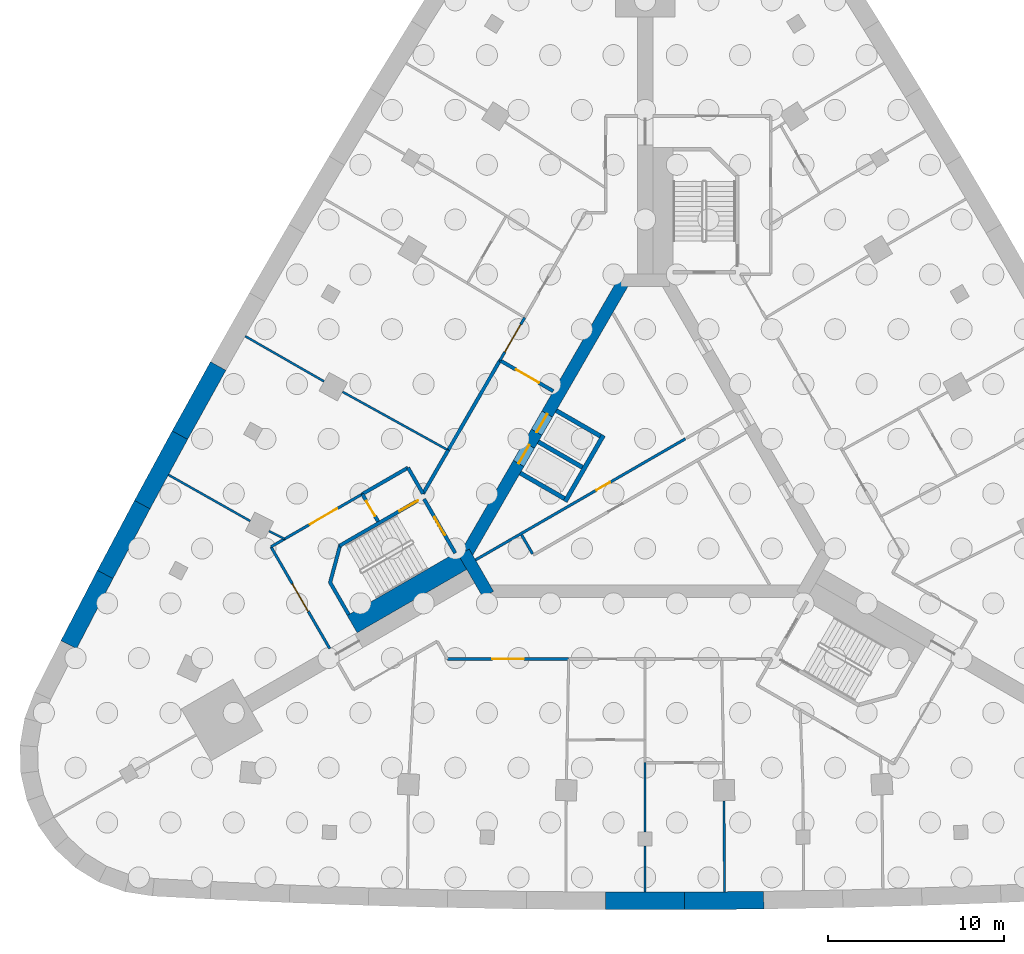
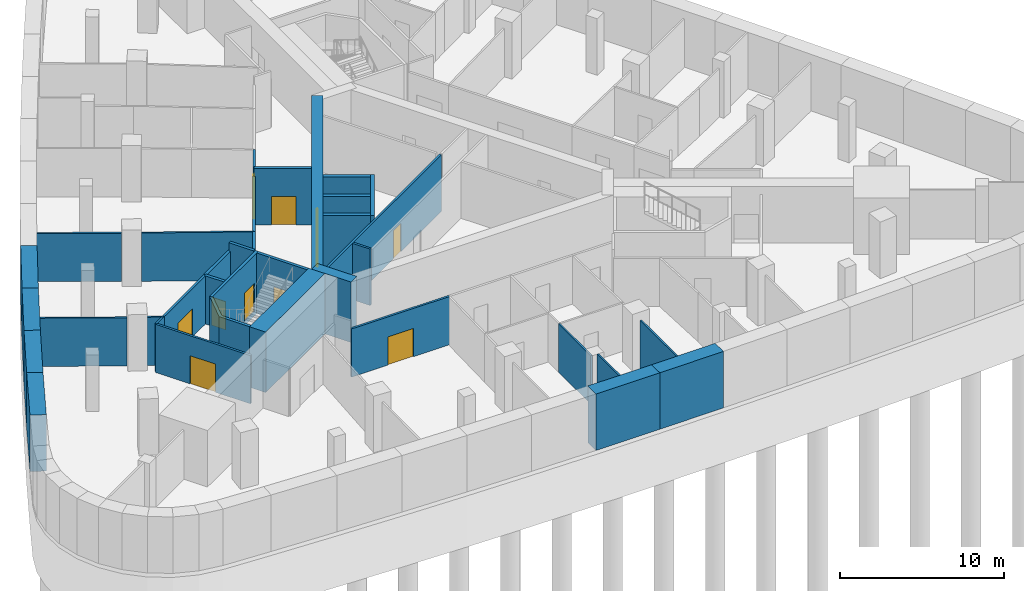
# One storey, part 3 of 9: 36 walls, 11 doors, 11 openings.
"""IFC4 building model written with IfcOpenShell, lengths in metres."""

from ifc_helpers import new_model, si_unit, direction, frame, frame_2d, origin, place, context, subcontext, project, spatial, polyline, rectangle, outline, extrude, material, layer, layer_set, type_object, element, fill, save


model = new_model("IFC4")

# Units and contexts
model_context = context("Model", 3, precision=1e-05, world=origin(), true_north=direction((0.0, 1.0)))
body_context = subcontext(model_context, "Body", "Model", "MODEL_VIEW")
ifc_project = project(units=[si_unit("LENGTHUNIT", "METRE"), si_unit("AREAUNIT", "SQUARE_METRE"), si_unit("VOLUMEUNIT", "CUBIC_METRE"), si_unit("PLANEANGLEUNIT", "RADIAN"), si_unit("MASSUNIT", "GRAM", prefix="KILO")], contexts=[model_context])

# Site, building, storey
site_placement = place(None, origin())
site = spatial("IfcSite", under=ifc_project, at=site_placement, CompositionType="ELEMENT")
building_placement = place(site_placement, origin())
building = spatial("IfcBuilding", under=site, at=building_placement, Name="Noor Cloister Tower", CompositionType="ELEMENT")
storey_placement = place(building_placement, frame((0.0, 0.0, -9.0)))
storey = spatial("IfcBuildingStorey", under=building, at=storey_placement, Name="B2", CompositionType="ELEMENT", Elevation=-9.0)

# Wall, opening, door
ifc_material_1 = material(Name="Concrete C30/37", Category="concrete")
ifc_layer_1 = layer(ifc_material_1, 0.14990234375)
ifc_layer_set_1 = layer_set([ifc_layer_1], Name="Core partition 150 C30/37")
wall_type_1 = type_object("IfcWallType", Name="Core partition 150 C30/37", PredefinedType="PARTITIONING", material=ifc_layer_set_1)
wall_1_placement = place(storey_placement, frame((-9.65087890625, -4.796875, 0.0), z_axis=(0.0, 0.0, 1.0), x_axis=(0.866023073213, 0.500004036646, 0.0)))
wall_1 = element("IfcWall", 1, at=wall_1_placement, inside=storey, type_object=wall_type_1, Name="Core room partition B2 1", PredefinedType="PARTITIONING", context=body_context, shape_type="SweptSolid", body=[
    extrude(rectangle(XDim=13.78466796875, YDim=0.14990234375, at=frame_2d((6.892333984375, 0.0))), origin(), (0.0, 0.0, 1.0), 4.199951171875),
])
opening_1_placement = place(wall_1_placement, frame((7.93359375, 0.0, 0.0)))
opening_1 = element("IfcOpeningElement", 2, at=opening_1_placement, cuts=wall_1, Name="Opening B2-905", PredefinedType="OPENING", context=body_context, shape_type="SweptSolid", body=[
    extrude(rectangle(XDim=0.89990234375, YDim=2.10009765625, at=frame_2d((0.449951171875, 1.050048828125))), frame((0.0, 0.0849609375, 0.0), z_axis=(0.0, -1.0, 0.0), x_axis=(1.0, 0.0, 0.0)), (0.0, 0.0, 1.0), 0.169921875),
])
ifc_material_2 = material(Name="Steel", Category="steel")
door_type_1 = type_object("IfcDoorType", Name="Core door 900 x 2100 FD120", OperationType="SINGLE_SWING_LEFT", PredefinedType="DOOR", material=ifc_material_2)
door_1_placement = place(opening_1_placement, origin())
door_1 = element("IfcDoor", 3, at=door_1_placement, inside=storey, type_object=door_type_1, Name="Core door 5 B2", OperationType="SINGLE_SWING_LEFT", OverallHeight=2.10009765625, OverallWidth=0.89990234375, PredefinedType="DOOR", context=body_context, shape_type="SweptSolid", body=[
    extrude(rectangle(XDim=0.89990234375, YDim=2.10009765625, at=frame_2d((0.449951171875, 1.050048828125))), frame((0.0, 0.02490234375, 0.0), z_axis=(0.0, -1.0, 0.0), x_axis=(1.0, 0.0, 0.0)), (0.0, 0.0, 1.0), 0.050048828125),
])
fill(opening_1, door_1)

# Wall
wall_2_placement = place(storey_placement, frame((-6.40380859375, -4.451904296875, 0.0), z_axis=(0.0, 0.0, 1.0), x_axis=(-0.500004234368, 0.866022959057, 0.0)))
element("IfcWall", 4, at=wall_2_placement, inside=storey, type_object=wall_type_1, Name="Core room partition B2 3", PredefinedType="PARTITIONING", context=body_context, shape_type="SweptSolid", body=[
    extrude(rectangle(XDim=1.25, YDim=0.14990234375, at=frame_2d((0.625, 0.0))), origin(), (0.0, 0.0, 1.0), 4.199951171875),
])

# Wall, openings, doors
ifc_material_3 = material(Name="Concrete C80/95", Category="concrete")
ifc_layer_2 = layer(ifc_material_3, 0.699951171875)
ifc_layer_set_2 = layer_set([ifc_layer_2], Name="Core wall 700 C80/95")
wall_type_2 = type_object("IfcWallType", Name="Core wall 700 C80/95", PredefinedType="SHEAR", material=ifc_layer_set_2)
wall_3_placement = place(storey_placement, frame((-1.08251953125, 11.281494140625, -0.300048828125), z_axis=(0.0, 0.0, 1.0), x_axis=(-0.500001446645, -0.866024568562, 0.0)))
wall_3 = element("IfcWall", 5, at=wall_3_placement, inside=storey, type_object=wall_type_2, Name="Core wall B2 5", PredefinedType="SHEAR", context=body_context, shape_type="SweptSolid", body=[
    extrude(rectangle(XDim=18.45751953125, YDim=0.699951171875, at=frame_2d((9.228759765625, 0.0))), origin(), (0.0, 0.0, 1.0), 4.5),
])
opening_2_placement = place(wall_3_placement, frame((8.978759765625, 0.0, 0.300048828125)))
opening_2 = element("IfcOpeningElement", 6, at=opening_2_placement, cuts=wall_3, Name="Opening B2-FF1", PredefinedType="OPENING", context=body_context, shape_type="SweptSolid", body=[
    extrude(rectangle(XDim=1.199951171875, YDim=2.10009765625, at=frame_2d((0.60009765625, 1.050048828125))), frame((0.0, 0.35986328125, 0.0), z_axis=(0.0, -1.0, 0.0), x_axis=(1.0, 0.0, 0.0)), (0.0, 0.0, 1.0), 0.719970703125),
])
opening_3_placement = place(wall_3_placement, frame((11.02880859375, 0.0, 0.300048828125)))
opening_3 = element("IfcOpeningElement", 7, at=opening_3_placement, cuts=wall_3, Name="Opening B2-FF2", PredefinedType="OPENING", context=body_context, shape_type="SweptSolid", body=[
    extrude(rectangle(XDim=1.199951171875, YDim=2.10009765625, at=frame_2d((0.60009765625, 1.050048828125))), frame((0.0, 0.35986328125, 0.0), z_axis=(0.0, -1.0, 0.0), x_axis=(1.0, 0.0, 0.0)), (0.0, 0.0, 1.0), 0.719970703125),
])
ifc_material_4 = material(Name="Stainless steel", Category="steel")
door_type_2 = type_object("IfcDoorType", Name="Lift landing door 1200 x 2100", OperationType="DOUBLE_DOOR_SLIDING", PredefinedType="DOOR", material=ifc_material_4)
door_2_placement = place(opening_2_placement, origin())
door_2 = element("IfcDoor", 8, at=door_2_placement, inside=storey, type_object=door_type_2, Name="Landing door FF1 B2", OperationType="DOUBLE_DOOR_SLIDING", OverallHeight=2.10009765625, OverallWidth=1.199951171875, PredefinedType="DOOR", context=body_context, shape_type="SweptSolid", body=[
    extrude(rectangle(XDim=1.199951171875, YDim=2.10009765625, at=frame_2d((0.60009765625, 1.050048828125))), frame((0.0, 0.02490234375, 0.0), z_axis=(0.0, -1.0, 0.0), x_axis=(1.0, 0.0, 0.0)), (0.0, 0.0, 1.0), 0.050048828125),
])
fill(opening_2, door_2)
door_3_placement = place(opening_3_placement, origin())
door_3 = element("IfcDoor", 9, at=door_3_placement, inside=storey, type_object=door_type_2, Name="Landing door FF2 B2", OperationType="DOUBLE_DOOR_SLIDING", OverallHeight=2.10009765625, OverallWidth=1.199951171875, PredefinedType="DOOR", context=body_context, shape_type="SweptSolid", body=[
    extrude(rectangle(XDim=1.199951171875, YDim=2.10009765625, at=frame_2d((0.60009765625, 1.050048828125))), frame((0.0, 0.02490234375, 0.0), z_axis=(0.0, -1.0, 0.0), x_axis=(1.0, 0.0, 0.0)), (0.0, 0.0, 1.0), 0.050048828125),
])
fill(opening_3, door_3)

# Wall
wall_4_placement = place(storey_placement, frame((-10.311279296875, -4.353271484375, -0.300048828125), z_axis=(0.0, 0.0, 1.0), x_axis=(0.500042739161, -0.866000726912, 0.0)))
element("IfcWall", 10, at=wall_4_placement, inside=storey, type_object=wall_type_2, Name="Core wall B2 6", PredefinedType="SHEAR", context=body_context, shape_type="SweptSolid", body=[
    extrude(rectangle(XDim=2.771240234375, YDim=0.699951171875, at=frame_2d((1.3857421875, 0.0))), origin(), (0.0, 0.0, 1.0), 4.5),
])

# Wall, opening, door
ifc_material_5 = material(Name="Plasterboard on steel studs", Category="steel")
ifc_layer_3 = layer(ifc_material_5, 0.14990234375)
ifc_layer_set_3 = layer_set([ifc_layer_3], Name="Corridor wall 150")
wall_type_3 = type_object("IfcWallType", Name="Corridor wall 150", PredefinedType="PARTITIONING", material=ifc_layer_set_3)
wall_5_placement = place(storey_placement, frame((-4.346923828125, -10.427978515625, 0.0), z_axis=(0.0, 0.0, 1.0), x_axis=(-1.0, 0.0, 0.0)))
wall_5 = element("IfcWall", 11, at=wall_5_placement, inside=storey, type_object=wall_type_3, Name="Partition", PredefinedType="PARTITIONING", context=body_context, shape_type="SweptSolid", body=[
    extrude(rectangle(XDim=6.902099609375, YDim=0.14990234375, at=frame_2d((3.451171875, 0.0))), origin(), (0.0, 0.0, 1.0), 3.587890625),
])
opening_4_placement = place(wall_5_placement, frame((2.550048828125, 0.0, 0.0)))
opening_4 = element("IfcOpeningElement", 12, at=opening_4_placement, cuts=wall_5, Name="Opening B2-007", PredefinedType="OPENING", context=body_context, shape_type="SweptSolid", body=[
    extrude(rectangle(XDim=1.800048828125, YDim=2.10009765625, at=frame_2d((0.89990234375, 1.050048828125))), frame((0.0, 0.0849609375, 0.0), z_axis=(0.0, -1.0, 0.0), x_axis=(1.0, 0.0, 0.0)), (0.0, 0.0, 1.0), 0.169921875),
])
ifc_material_6 = material(Name="Timber door leaf", Category="wood")
door_type_3 = type_object("IfcDoorType", Name="Double leaf door 1800", OperationType="DOUBLE_DOOR_SINGLE_SWING", PredefinedType="DOOR", material=ifc_material_6)
door_4_placement = place(opening_4_placement, origin())
door_4 = element("IfcDoor", 13, at=door_4_placement, inside=storey, type_object=door_type_3, Name="Door B2-007", OperationType="DOUBLE_DOOR_SINGLE_SWING", OverallHeight=2.10009765625, OverallWidth=1.800048828125, PredefinedType="DOOR", context=body_context, shape_type="SweptSolid", body=[
    extrude(rectangle(XDim=1.800048828125, YDim=2.10009765625, at=frame_2d((0.89990234375, 1.050048828125))), frame((0.0, 0.02490234375, 0.0), z_axis=(0.0, -1.0, 0.0), x_axis=(1.0, 0.0, 0.0)), (0.0, 0.0, 1.0), 0.050048828125),
])
fill(opening_4, door_4)

wall_6_placement = place(storey_placement, frame((-17.94091796875, -9.837890625, 0.0), z_axis=(0.0, 0.0, 1.0), x_axis=(-0.500048140185, 0.865997608252, 0.0)))
wall_6 = element("IfcWall", 14, at=wall_6_placement, inside=storey, type_object=wall_type_3, Name="Partition", PredefinedType="PARTITIONING", context=body_context, shape_type="SweptSolid", body=[
    extrude(rectangle(XDim=6.683349609375, YDim=0.14990234375, at=frame_2d((3.341796875, 0.0))), origin(), (0.0, 0.0, 1.0), 3.587890625),
])
opening_5_placement = place(wall_6_placement, frame((2.449951171875, 0.0, 0.0)))
opening_5 = element("IfcOpeningElement", 15, at=opening_5_placement, cuts=wall_6, Name="Opening B2-011", PredefinedType="OPENING", context=body_context, shape_type="SweptSolid", body=[
    extrude(rectangle(XDim=1.800048828125, YDim=2.10009765625, at=frame_2d((0.89990234375, 1.050048828125))), frame((0.0, 0.0849609375, 0.0), z_axis=(0.0, -1.0, 0.0), x_axis=(1.0, 0.0, 0.0)), (0.0, 0.0, 1.0), 0.169921875),
])
door_5_placement = place(opening_5_placement, origin())
door_5 = element("IfcDoor", 16, at=door_5_placement, inside=storey, type_object=door_type_3, Name="Door B2-011", OperationType="DOUBLE_DOOR_SINGLE_SWING", OverallHeight=2.10009765625, OverallWidth=1.800048828125, PredefinedType="DOOR", context=body_context, shape_type="SweptSolid", body=[
    extrude(rectangle(XDim=1.800048828125, YDim=2.10009765625, at=frame_2d((0.89990234375, 1.050048828125))), frame((0.0, 0.02490234375, 0.0), z_axis=(0.0, -1.0, 0.0), x_axis=(1.0, 0.0, 0.0)), (0.0, 0.0, 1.0), 0.050048828125),
])
fill(opening_5, door_5)

# Wall
wall_7_placement = place(storey_placement, frame((-21.282958984375, -4.048095703125, 0.0), z_axis=(0.0, 0.0, 1.0), x_axis=(0.865804825377, 0.500381858538, 0.0)))
element("IfcWall", 17, at=wall_7_placement, inside=storey, type_object=wall_type_3, Name="Partition", PredefinedType="PARTITIONING", context=body_context, shape_type="SweptSolid", body=[
    extrude(rectangle(XDim=0.897216796875, YDim=0.14990234375, at=frame_2d((0.44873046875, 0.0))), origin(), (0.0, 0.0, 1.0), 3.587890625),
])

# Wall, opening, door
wall_8_placement = place(storey_placement, frame((-16.0869140625, -1.049072265625, 0.0), z_axis=(0.0, 0.0, 1.0), x_axis=(-0.866071706002, -0.49991979363, 0.0)))
wall_8 = element("IfcWall", 18, at=wall_8_placement, inside=storey, type_object=wall_type_3, Name="Partition", PredefinedType="PARTITIONING", context=body_context, shape_type="SweptSolid", body=[
    extrude(rectangle(XDim=5.104736328125, YDim=0.14990234375, at=frame_2d((2.55224609375, 0.0))), origin(), (0.0, 0.0, 1.0), 3.587890625),
])
opening_6_placement = place(wall_8_placement, frame((1.64990234375, 0.0, 0.0)))
opening_6 = element("IfcOpeningElement", 19, at=opening_6_placement, cuts=wall_8, Name="Opening B2-014", PredefinedType="OPENING", context=body_context, shape_type="SweptSolid", body=[
    extrude(rectangle(XDim=1.800048828125, YDim=2.10009765625, at=frame_2d((0.89990234375, 1.050048828125))), frame((0.0, 0.0849609375, 0.0), z_axis=(0.0, -1.0, 0.0), x_axis=(1.0, 0.0, 0.0)), (0.0, 0.0, 1.0), 0.169921875),
])
door_6_placement = place(opening_6_placement, origin())
door_6 = element("IfcDoor", 20, at=door_6_placement, inside=storey, type_object=door_type_3, Name="Door B2-014", OperationType="DOUBLE_DOOR_SINGLE_SWING", OverallHeight=2.10009765625, OverallWidth=1.800048828125, PredefinedType="DOOR", context=body_context, shape_type="SweptSolid", body=[
    extrude(rectangle(XDim=1.800048828125, YDim=2.10009765625, at=frame_2d((0.89990234375, 1.050048828125))), frame((0.0, 0.02490234375, 0.0), z_axis=(0.0, -1.0, 0.0), x_axis=(1.0, 0.0, 0.0)), (0.0, 0.0, 1.0), 0.050048828125),
])
fill(opening_6, door_6)

wall_9_placement = place(storey_placement, frame((-8.256103515625, 6.55810546875, 0.0), z_axis=(0.0, 0.0, 1.0), x_axis=(0.500081734942, 0.86597820895, 0.0)))
wall_9 = element("IfcWall", 21, at=wall_9_placement, inside=storey, type_object=wall_type_3, Name="Partition", PredefinedType="PARTITIONING", context=body_context, shape_type="SweptSolid", body=[
    extrude(rectangle(XDim=2.8037109375, YDim=0.14990234375, at=frame_2d((1.40185546875, 0.0))), origin(), (0.0, 0.0, 1.0), 3.587890625),
])
opening_7_placement = place(wall_9_placement, frame((0.550048828125, 0.0, 0.0)))
opening_7 = element("IfcOpeningElement", 22, at=opening_7_placement, cuts=wall_9, Name="Opening B2-016", PredefinedType="OPENING", context=body_context, shape_type="SweptSolid", body=[
    extrude(rectangle(XDim=1.800048828125, YDim=2.10009765625, at=frame_2d((0.89990234375, 1.050048828125))), frame((0.0, 0.0849609375, 0.0), z_axis=(0.0, -1.0, 0.0), x_axis=(1.0, 0.0, 0.0)), (0.0, 0.0, 1.0), 0.169921875),
])
door_7_placement = place(opening_7_placement, origin())
door_7 = element("IfcDoor", 23, at=door_7_placement, inside=storey, type_object=door_type_3, Name="Door B2-016", OperationType="DOUBLE_DOOR_SINGLE_SWING", OverallHeight=2.10009765625, OverallWidth=1.800048828125, PredefinedType="DOOR", context=body_context, shape_type="SweptSolid", body=[
    extrude(rectangle(XDim=1.800048828125, YDim=2.10009765625, at=frame_2d((0.89990234375, 1.050048828125))), frame((0.0, 0.02490234375, 0.0), z_axis=(0.0, -1.0, 0.0), x_axis=(1.0, 0.0, 0.0)), (0.0, 0.0, 1.0), 0.050048828125),
])
fill(opening_7, door_7)

# Walls
ifc_material_7 = material(Name="Concrete C50/60", Category="concrete")
ifc_layer_4 = layer(ifc_material_7, 1.0)
ifc_layer_set_4 = layer_set([ifc_layer_4], Name="Diaphragm wall 1000")
wall_type_4 = type_object("IfcWallType", Name="Diaphragm wall 1000", PredefinedType="SOLIDWALL", material=ifc_layer_set_4)
wall_10_placement = place(storey_placement, origin())
element("IfcWall", 24, at=wall_10_placement, inside=storey, type_object=wall_type_4, Name="Basement wall 19", PredefinedType="SOLIDWALL", context=body_context, shape_type="SweptSolid", body=[
    extrude(outline(polyline([(-24.72119140625, 6.478759765625), (-26.900634765625, 2.541748046875), (-26.023681640625, 2.0615234375), (-23.848388671875, 5.990478515625), (-24.72119140625, 6.478759765625)])), origin(), (0.0, 0.0, 1.0), 4.199951171875),
])
wall_11_placement = place(storey_placement, origin())
element("IfcWall", 25, at=wall_11_placement, inside=storey, type_object=wall_type_4, Name="Basement wall 20", PredefinedType="SOLIDWALL", context=body_context, shape_type="SweptSolid", body=[
    extrude(outline(polyline([(-26.900634765625, 2.541748046875), (-29.044921875, -1.41455078125), (-28.16357421875, -1.886962890625), (-26.023681640625, 2.0615234375), (-26.900634765625, 2.541748046875)])), origin(), (0.0, 0.0, 1.0), 4.199951171875),
])
wall_12_placement = place(storey_placement, origin())
element("IfcWall", 26, at=wall_12_placement, inside=storey, type_object=wall_type_4, Name="Basement wall 21", PredefinedType="SOLIDWALL", context=body_context, shape_type="SweptSolid", body=[
    extrude(outline(polyline([(-29.044921875, -1.41455078125), (-31.1533203125, -5.389892578125), (-30.267822265625, -5.8544921875), (-28.16357421875, -1.886962890625), (-29.044921875, -1.41455078125)])), origin(), (0.0, 0.0, 1.0), 4.199951171875),
])
wall_13_placement = place(storey_placement, origin())
element("IfcWall", 27, at=wall_13_placement, inside=storey, type_object=wall_type_4, Name="Basement wall 22", PredefinedType="SOLIDWALL", context=body_context, shape_type="SweptSolid", body=[
    extrude(outline(polyline([(-31.1533203125, -5.389892578125), (-33.22607421875, -9.384033203125), (-32.336669921875, -9.84130859375), (-30.267822265625, -5.8544921875), (-31.1533203125, -5.389892578125)])), origin(), (0.0, 0.0, 1.0), 4.199951171875),
])
wall_14_placement = place(storey_placement, origin())
element("IfcWall", 28, at=wall_14_placement, inside=storey, type_object=wall_type_4, Name="Basement wall 40", PredefinedType="SOLIDWALL", context=body_context, shape_type="SweptSolid", body=[
    extrude(outline(polyline([(-2.25, -24.68896484375), (2.25, -24.68896484375), (2.24560546875, -23.68896484375), (-2.24560546875, -23.68896484375), (-2.25, -24.68896484375)])), origin(), (0.0, 0.0, 1.0), 4.199951171875),
])
wall_15_placement = place(storey_placement, origin())
element("IfcWall", 29, at=wall_15_placement, inside=storey, type_object=wall_type_4, Name="Basement wall 41", PredefinedType="SOLIDWALL", context=body_context, shape_type="SweptSolid", body=[
    extrude(outline(polyline([(2.25, -24.68896484375), (6.749755859375, -24.6484375), (6.736328125, -23.648681640625), (2.24560546875, -23.68896484375), (2.25, -24.68896484375)])), origin(), (0.0, 0.0, 1.0), 4.199951171875),
])

# Wall, opening, door
ifc_material_8 = material(Name="Reinforced blockwork", Category="masonry")
ifc_layer_5 = layer(ifc_material_8, 0.199951171875)
ifc_layer_set_5 = layer_set([ifc_layer_5], Name="Fire rated block wall 200")
wall_type_5 = type_object("IfcWallType", Name="Fire rated block wall 200", PredefinedType="PARTITIONING", material=ifc_layer_set_5)
wall_16_placement = place(storey_placement, frame((-15.18798828125, -2.60693359375, 0.0), z_axis=(0.0, 0.0, 1.0), x_axis=(-0.500024172624, 0.866011447264, 0.0)))
wall_16 = element("IfcWall", 30, at=wall_16_placement, inside=storey, type_object=wall_type_5, Name="Fire rated wall", PredefinedType="PARTITIONING", context=body_context, shape_type="SweptSolid", body=[
    extrude(rectangle(XDim=1.7978515625, YDim=0.199951171875, at=frame_2d((0.89892578125, 0.0))), origin(), (0.0, 0.0, 1.0), 3.587890625),
])
opening_8_placement = place(wall_16_placement, frame((0.35009765625, 0.0, 0.0)))
opening_8 = element("IfcOpeningElement", 31, at=opening_8_placement, cuts=wall_16, Name="Opening B2-026", PredefinedType="OPENING", context=body_context, shape_type="SweptSolid", body=[
    extrude(rectangle(XDim=1.0, YDim=2.10009765625, at=frame_2d((0.5, 1.050048828125))), frame((0.0, 0.10986328125, 0.0), z_axis=(0.0, -1.0, 0.0), x_axis=(1.0, 0.0, 0.0)), (0.0, 0.0, 1.0), 0.219970703125),
])
ifc_material_9 = material(Name="Steel fire door", Category="steel")
door_type_4 = type_object("IfcDoorType", Name="Fire door FD60 1000", OperationType="SINGLE_SWING_LEFT", PredefinedType="DOOR", material=ifc_material_9)
door_8_placement = place(opening_8_placement, origin())
door_8 = element("IfcDoor", 32, at=door_8_placement, inside=storey, type_object=door_type_4, Name="Door B2-026", OperationType="SINGLE_SWING_LEFT", OverallHeight=2.10009765625, OverallWidth=1.0, PredefinedType="DOOR", context=body_context, shape_type="SweptSolid", body=[
    extrude(rectangle(XDim=1.0, YDim=2.10009765625, at=frame_2d((0.5, 1.050048828125))), frame((0.0, 0.02490234375, 0.0), z_axis=(0.0, -1.0, 0.0), x_axis=(1.0, 0.0, 0.0)), (0.0, 0.0, 1.0), 0.050048828125),
])
fill(opening_8, door_8)

# Walls
wall_17_placement = place(storey_placement, frame((-16.0869140625, -1.048095703125, 0.0), z_axis=(0.0, 0.0, 1.0), x_axis=(0.865988915629, 0.500063194015, 0.0)))
element("IfcWall", 33, at=wall_17_placement, inside=storey, type_object=wall_type_5, Name="Fire rated wall", PredefinedType="PARTITIONING", context=body_context, shape_type="SweptSolid", body=[
    extrude(rectangle(XDim=2.99755859375, YDim=0.199951171875, at=frame_2d((1.498779296875, 0.0))), origin(), (0.0, 0.0, 1.0), 3.587890625),
])
wall_18_placement = place(storey_placement, frame((-13.489013671875, 0.450927734375, 0.0), z_axis=(0.0, 0.0, 1.0), x_axis=(0.500044178772, -0.865999895656, 0.0)))
element("IfcWall", 34, at=wall_18_placement, inside=storey, type_object=wall_type_5, Name="Fire rated wall", PredefinedType="PARTITIONING", context=body_context, shape_type="SweptSolid", body=[
    extrude(rectangle(XDim=1.707763671875, YDim=0.199951171875, at=frame_2d((0.85400390625, 0.0))), origin(), (0.0, 0.0, 1.0), 4.199951171875),
])
wall_19_placement = place(storey_placement, frame((-12.635009765625, -1.028076171875, 0.0), z_axis=(0.0, 0.0, 1.0), x_axis=(0.50005725472, 0.865992345233, 0.0)))
element("IfcWall", 35, at=wall_19_placement, inside=storey, type_object=wall_type_5, Name="Fire rated wall", PredefinedType="PARTITIONING", context=body_context, shape_type="SweptSolid", body=[
    extrude(rectangle(XDim=2.861572265625, YDim=0.199951171875, at=frame_2d((1.4306640625, 0.0))), origin(), (0.0, 0.0, 1.0), 3.587890625),
])
wall_20_placement = place(storey_placement, frame((-8.256103515625, 6.554931640625, 0.0), z_axis=(0.0, 0.0, 1.0), x_axis=(-0.500042467634, -0.866000883696, 0.0)))
element("IfcWall", 36, at=wall_20_placement, inside=storey, type_object=wall_type_5, Name="Fire rated wall", PredefinedType="PARTITIONING", context=body_context, shape_type="SweptSolid", body=[
    extrude(rectangle(XDim=5.8994140625, YDim=0.199951171875, at=frame_2d((2.94970703125, 0.0))), origin(), (0.0, 0.0, 1.0), 3.587890625),
])

# Wall, opening, door
wall_21_placement = place(storey_placement, frame((-5.22607421875, 4.805908203125, 0.0), z_axis=(0.0, 0.0, 1.0), x_axis=(-0.865949687125, 0.500131122175, 0.0)))
wall_21 = element("IfcWall", 37, at=wall_21_placement, inside=storey, type_object=wall_type_5, Name="Fire rated wall", PredefinedType="PARTITIONING", context=body_context, shape_type="SweptSolid", body=[
    extrude(rectangle(XDim=3.4990234375, YDim=0.199951171875, at=frame_2d((1.74951171875, 0.0))), origin(), (0.0, 0.0, 1.0), 4.199951171875),
])
opening_9_placement = place(wall_21_placement, frame((0.949951171875, 0.0, 0.0)))
opening_9 = element("IfcOpeningElement", 38, at=opening_9_placement, cuts=wall_21, Name="Opening B2-027", PredefinedType="OPENING", context=body_context, shape_type="SweptSolid", body=[
    extrude(rectangle(XDim=1.5, YDim=2.10009765625, at=frame_2d((0.75, 1.050048828125))), frame((0.0, 0.10986328125, 0.0), z_axis=(0.0, -1.0, 0.0), x_axis=(1.0, 0.0, 0.0)), (0.0, 0.0, 1.0), 0.219970703125),
])
ifc_material_10 = material(Name="Steel fire door", Category="steel")
door_type_5 = type_object("IfcDoorType", Name="Smoke barrier door FD60 1500", OperationType="DOUBLE_DOOR_SINGLE_SWING", PredefinedType="DOOR", material=ifc_material_10)
door_9_placement = place(opening_9_placement, origin())
door_9 = element("IfcDoor", 39, at=door_9_placement, inside=storey, type_object=door_type_5, Name="Door B2-027", OperationType="DOUBLE_DOOR_SINGLE_SWING", OverallHeight=2.10009765625, OverallWidth=1.5, PredefinedType="DOOR", context=body_context, shape_type="SweptSolid", body=[
    extrude(rectangle(XDim=1.5, YDim=2.10009765625, at=frame_2d((0.75, 1.050048828125))), frame((0.0, 0.02490234375, 0.0), z_axis=(0.0, -1.0, 0.0), x_axis=(1.0, 0.0, 0.0)), (0.0, 0.0, 1.0), 0.050048828125),
])
fill(opening_9, door_9)

# Walls
ifc_material_11 = material(Name="Plasterboard on steel studs", Category="steel")
ifc_layer_6 = layer(ifc_material_11, 0.1201171875)
ifc_layer_set_6 = layer_set([ifc_layer_6], Name="Partition wall 120")
wall_type_6 = type_object("IfcWallType", Name="Partition wall 120", PredefinedType="PARTITIONING", material=ifc_layer_set_6)
wall_22_placement = place(storey_placement, frame((0.0, -23.68896484375, 0.0), z_axis=(0.0, 0.0, 1.0), x_axis=(0.0, 1.0, 0.0)))
element("IfcWall", 40, at=wall_22_placement, inside=storey, type_object=wall_type_6, Name="Partition", PredefinedType="PARTITIONING", context=body_context, shape_type="SweptSolid", body=[
    extrude(rectangle(XDim=2.632080078125, YDim=0.1201171875, at=frame_2d((1.31591796875, 0.0))), origin(), (0.0, 0.0, 1.0), 4.199951171875),
])
wall_23_placement = place(storey_placement, frame((0.0, -20.257080078125, 0.0), z_axis=(0.0, 0.0, 1.0), x_axis=(0.0, 1.0, 0.0)))
element("IfcWall", 41, at=wall_23_placement, inside=storey, type_object=wall_type_6, Name="Partition", PredefinedType="PARTITIONING", context=body_context, shape_type="SweptSolid", body=[
    extrude(rectangle(XDim=3.92919921875, YDim=0.1201171875, at=frame_2d((1.964599609375, 0.0))), origin(), (0.0, 0.0, 1.0), 3.587890625),
])
wall_24_placement = place(storey_placement, frame((4.506103515625, -23.6689453125, 0.0), z_axis=(0.0, 0.0, 1.0), x_axis=(-0.00292382622, 0.999995725611, 0.0)))
element("IfcWall", 42, at=wall_24_placement, inside=storey, type_object=wall_type_6, Name="Partition", PredefinedType="PARTITIONING", context=body_context, shape_type="SweptSolid", body=[
    extrude(rectangle(XDim=5.177001953125, YDim=0.1201171875, at=frame_2d((2.58837890625, 0.0))), origin(), (0.0, 0.0, 1.0), 3.5830078125),
])
wall_25_placement = place(storey_placement, frame((-22.4609375, -2.583984375, 0.0), z_axis=(0.0, 0.0, 1.0), x_axis=(-0.87056283872, 0.492057256668, 0.0)))
element("IfcWall", 43, at=wall_25_placement, inside=storey, type_object=wall_type_6, Name="Partition", PredefinedType="PARTITIONING", context=body_context, shape_type="SweptSolid", body=[
    extrude(rectangle(XDim=5.34716796875, YDim=0.1201171875, at=frame_2d((2.673583984375, 0.0))), origin(), (0.0, 0.0, 1.0), 3.5830078125),
])
wall_26_placement = place(storey_placement, frame((-20.509033203125, -3.60107421875, 0.0), z_axis=(0.0, 0.0, 1.0), x_axis=(-0.892316605155, 0.451410097544, 0.0)))
element("IfcWall", 44, at=wall_26_placement, inside=storey, type_object=wall_type_6, Name="Partition", PredefinedType="PARTITIONING", context=body_context, shape_type="SweptSolid", body=[
    extrude(rectangle(XDim=0.99951171875, YDim=0.1201171875, at=frame_2d((0.499755859375, 0.0))), origin(), (0.0, 0.0, 1.0), 3.587890625),
])
wall_27_placement = place(storey_placement, frame((-18.260009765625, 5.35595703125, 0.0), z_axis=(0.0, 0.0, 1.0), x_axis=(-0.867438170848, 0.497544992695, 0.0)))
element("IfcWall", 45, at=wall_27_placement, inside=storey, type_object=wall_type_6, Name="Partition", PredefinedType="PARTITIONING", context=body_context, shape_type="SweptSolid", body=[
    extrude(rectangle(XDim=5.17724609375, YDim=0.1201171875, at=frame_2d((2.588623046875, 0.0))), origin(), (0.0, 0.0, 1.0), 3.5830078125),
])
wall_28_placement = place(storey_placement, frame((-11.2080078125, 1.446044921875, 0.0), z_axis=(0.0, 0.0, 1.0), x_axis=(-0.875125393946, 0.483896212912, 0.0)))
element("IfcWall", 46, at=wall_28_placement, inside=storey, type_object=wall_type_6, Name="Partition", PredefinedType="PARTITIONING", context=body_context, shape_type="SweptSolid", body=[
    extrude(rectangle(XDim=6.863037109375, YDim=0.1201171875, at=frame_2d((3.431640625, 0.0))), origin(), (0.0, 0.0, 1.0), 3.587890625),
])
ifc_material_12 = material(Name="Concrete C80/95", Category="concrete")
ifc_layer_7 = layer(ifc_material_12, 0.25)
ifc_layer_set_7 = layer_set([ifc_layer_7], Name="Shaft wall 250 C80/95")
wall_type_7 = type_object("IfcWallType", Name="Shaft wall 250 C80/95", PredefinedType="PARTITIONING", material=ifc_layer_set_7)
for number, where, z_axis, x_axis, name in (
    (47, (-5.056396484375, 3.69873046875, 0.0), (0.0, 0.0, 1.0), (0.866032775405, -0.499987231761, 0.0), "Lift shaft wall B2 NW 3"),
    (48, (-6.081298828125, 1.92333984375, 0.0), (0.0, 0.0, 1.0), (0.866032775405, -0.499987231761, 0.0), "Lift shaft wall B2 NW 4"),
    (49, (-7.106201171875, 0.14794921875, 0.0), (0.0, 0.0, 1.0), (0.866032775405, -0.499987231761, 0.0), "Lift shaft wall B2 NW 5"),
):
    element("IfcWall", number, at=place(storey_placement, frame(where, z_axis=z_axis, x_axis=x_axis)), inside=storey, type_object=wall_type_7, Name=name, PredefinedType="PARTITIONING", context=body_context, shape_type="SweptSolid", body=[
        extrude(rectangle(XDim=2.89990234375, YDim=0.25, at=frame_2d((1.449951171875, 0.0))), origin(), (0.0, 0.0, 1.0), 4.199951171875),
    ])
wall_29_placement = place(storey_placement, frame((-2.3740234375, 2.29443359375, 0.0), z_axis=(0.0, 0.0, 1.0), x_axis=(-0.499996127374, -0.866027639635, 0.0)))
element("IfcWall", 50, at=wall_29_placement, inside=storey, type_object=wall_type_7, Name="Lift shaft back wall B2 NW", PredefinedType="PARTITIONING", context=body_context, shape_type="SweptSolid", body=[
    extrude(rectangle(XDim=4.35009765625, YDim=0.25, at=frame_2d((2.175048828125, 0.0))), origin(), (0.0, 0.0, 1.0), 4.199951171875),
])
ifc_material_13 = material(Name="Concrete C80/95", Category="concrete")
ifc_layer_8 = layer(ifc_material_13, 1.135986328125)
ifc_layer_set_8 = layer_set([ifc_layer_8], Name="Stair enclosure wall 1136 C80/95")
wall_type_8 = type_object("IfcWallType", Name="Stair enclosure wall 1136 C80/95", PredefinedType="SHEAR", material=ifc_layer_set_8)
wall_30_placement = place(storey_placement, frame((-10.430419921875, -4.8466796875, -0.300048828125), z_axis=(0.0, 0.0, 1.0), x_axis=(-0.866018442252, -0.500012057535, 0.0)))
element("IfcWall", 51, at=wall_30_placement, inside=storey, type_object=wall_type_8, Name="Stair enclosure wall ST2 B2 riser side", PredefinedType="SHEAR", context=body_context, shape_type="SweptSolid", body=[
    extrude(rectangle(XDim=7.199951171875, YDim=1.1357421875, at=frame_2d((3.60009765625, 0.0))), origin(), (0.0, 0.0, 1.0), 4.5),
])

# Wall, opening, door
ifc_material_14 = material(Name="Concrete C80/95", Category="concrete")
ifc_layer_9 = layer(ifc_material_14, 0.199951171875)
ifc_layer_set_9 = layer_set([ifc_layer_9], Name="Stair enclosure wall 200 C80/95")
wall_type_9 = type_object("IfcWallType", Name="Stair enclosure wall 200 C80/95", PredefinedType="SHEAR", material=ifc_layer_set_9)
wall_31_placement = place(storey_placement, frame((-12.575927734375, -1.33056640625, -0.300048828125), z_axis=(0.0, 0.0, 1.0), x_axis=(0.499970499736, -0.8660424351, 0.0)))
wall_31 = element("IfcWall", 52, at=wall_31_placement, inside=storey, type_object=wall_type_9, Name="Stair enclosure wall ST2 B2 near end", PredefinedType="SHEAR", context=body_context, shape_type="SweptSolid", body=[
    extrude(rectangle(XDim=3.550048828125, YDim=0.199951171875, at=frame_2d((1.77490234375, 0.0))), origin(), (0.0, 0.0, 1.0), 4.5),
])
opening_10_placement = place(wall_31_placement, frame((1.175048828125, 0.0, 0.300048828125)))
opening_10 = element("IfcOpeningElement", 53, at=opening_10_placement, cuts=wall_31, Name="Opening B2-ST2L", PredefinedType="OPENING", context=body_context, shape_type="SweptSolid", body=[
    extrude(rectangle(XDim=1.199951171875, YDim=2.10009765625, at=frame_2d((0.60009765625, 1.050048828125))), frame((0.0, 0.10986328125, 0.0), z_axis=(0.0, -1.0, 0.0), x_axis=(1.0, 0.0, 0.0)), (0.0, 0.0, 1.0), 0.219970703125),
])
ifc_material_15 = material(Name="Steel", Category="steel")
door_type_6 = type_object("IfcDoorType", Name="Stair door 1200 x 2100 FD120", OperationType="SINGLE_SWING_LEFT", PredefinedType="DOOR", material=ifc_material_15)
door_10_placement = place(opening_10_placement, origin())
door_10 = element("IfcDoor", 54, at=door_10_placement, inside=storey, type_object=door_type_6, Name="Stair door ST2 B2", OperationType="SINGLE_SWING_RIGHT", OverallHeight=2.10009765625, OverallWidth=1.199951171875, PredefinedType="DOOR", context=body_context, shape_type="SweptSolid", body=[
    extrude(rectangle(XDim=1.199951171875, YDim=2.10009765625, at=frame_2d((0.60009765625, 1.050048828125))), frame((0.0, 0.02490234375, 0.0), z_axis=(0.0, -1.0, 0.0), x_axis=(1.0, 0.0, 0.0)), (0.0, 0.0, 1.0), 0.050048828125),
])
fill(opening_10, door_10)

wall_32_placement = place(storey_placement, frame((-12.539306640625, -1.194091796875, -0.300048828125), z_axis=(0.0, 0.0, 1.0), x_axis=(-0.866045472092, -0.499965239061, 0.0)))
wall_32 = element("IfcWall", 55, at=wall_32_placement, inside=storey, type_object=wall_type_9, Name="Stair enclosure wall ST2 B2 outer side", PredefinedType="SHEAR", context=body_context, shape_type="SweptSolid", body=[
    extrude(rectangle(XDim=5.60009765625, YDim=0.199951171875, at=frame_2d((2.800048828125, 0.0))), origin(), (0.0, 0.0, 1.0), 4.5),
])
opening_11_placement = place(wall_32_placement, frame((0.449951171875, 0.0, 0.300048828125)))
opening_11 = element("IfcOpeningElement", 56, at=opening_11_placement, cuts=wall_32, Name="Opening B2-ST2C", PredefinedType="OPENING", context=body_context, shape_type="SweptSolid", body=[
    extrude(rectangle(XDim=1.199951171875, YDim=2.10009765625, at=frame_2d((0.60009765625, 1.050048828125))), frame((0.0, 0.10986328125, 0.0), z_axis=(0.0, -1.0, 0.0), x_axis=(1.0, 0.0, 0.0)), (0.0, 0.0, 1.0), 0.219970703125),
])
door_11_placement = place(opening_11_placement, origin())
door_11 = element("IfcDoor", 57, at=door_11_placement, inside=storey, type_object=door_type_6, Name="Stair door ST2 B2", OperationType="SINGLE_SWING_LEFT", OverallHeight=2.10009765625, OverallWidth=1.199951171875, PredefinedType="DOOR", context=body_context, shape_type="SweptSolid", body=[
    extrude(rectangle(XDim=1.199951171875, YDim=2.10009765625, at=frame_2d((0.60009765625, 1.050048828125))), frame((0.0, 0.02490234375, 0.0), z_axis=(0.0, -1.0, 0.0), x_axis=(1.0, 0.0, 0.0)), (0.0, 0.0, 1.0), 0.050048828125),
])
fill(opening_11, door_11)

# Wall
ifc_material_16 = material(Name="Concrete C80/95", Category="concrete")
wall_type_10 = type_object("IfcWallType", Name="Stair far end wall C80/95", PredefinedType="SHEAR", material=ifc_material_16)
wall_33_placement = place(storey_placement, frame((0.0, 0.0, -0.300048828125)))
element("IfcWall", 58, at=wall_33_placement, inside=storey, type_object=wall_type_10, Name="Stair enclosure wall ST2 B2 far end", PredefinedType="SHEAR", context=body_context, shape_type="SweptSolid", body=[
    extrude(outline(polyline([(-17.439208984375, -3.907470703125), (-18.024658203125, -6.093017578125), (-16.94970703125, -7.955078125), (-16.776611328125, -7.85498046875), (-17.81005859375, -6.064697265625), (-17.267333984375, -4.039306640625), (-17.339111328125, -4.08056640625), (-17.339111328125, -4.08056640625), (-17.339111328125, -4.08056640625), (-17.339111328125, -4.08056640625), (-17.339111328125, -4.08056640625), (-17.339111328125, -4.08056640625), (-17.339111328125, -4.08056640625), (-17.339111328125, -4.08056640625), (-17.339111328125, -4.08056640625), (-17.339111328125, -4.08056640625), (-17.339111328125, -4.08056640625), (-17.339111328125, -4.08056640625), (-17.339111328125, -4.08056640625), (-17.339111328125, -4.08056640625), (-17.339111328125, -4.08056640625), (-17.339111328125, -4.08056640625), (-17.339111328125, -4.08056640625), (-17.439208984375, -3.907470703125)])), origin(), (0.0, 0.0, 1.0), 4.5),
])

save(model, "model.ifc")
